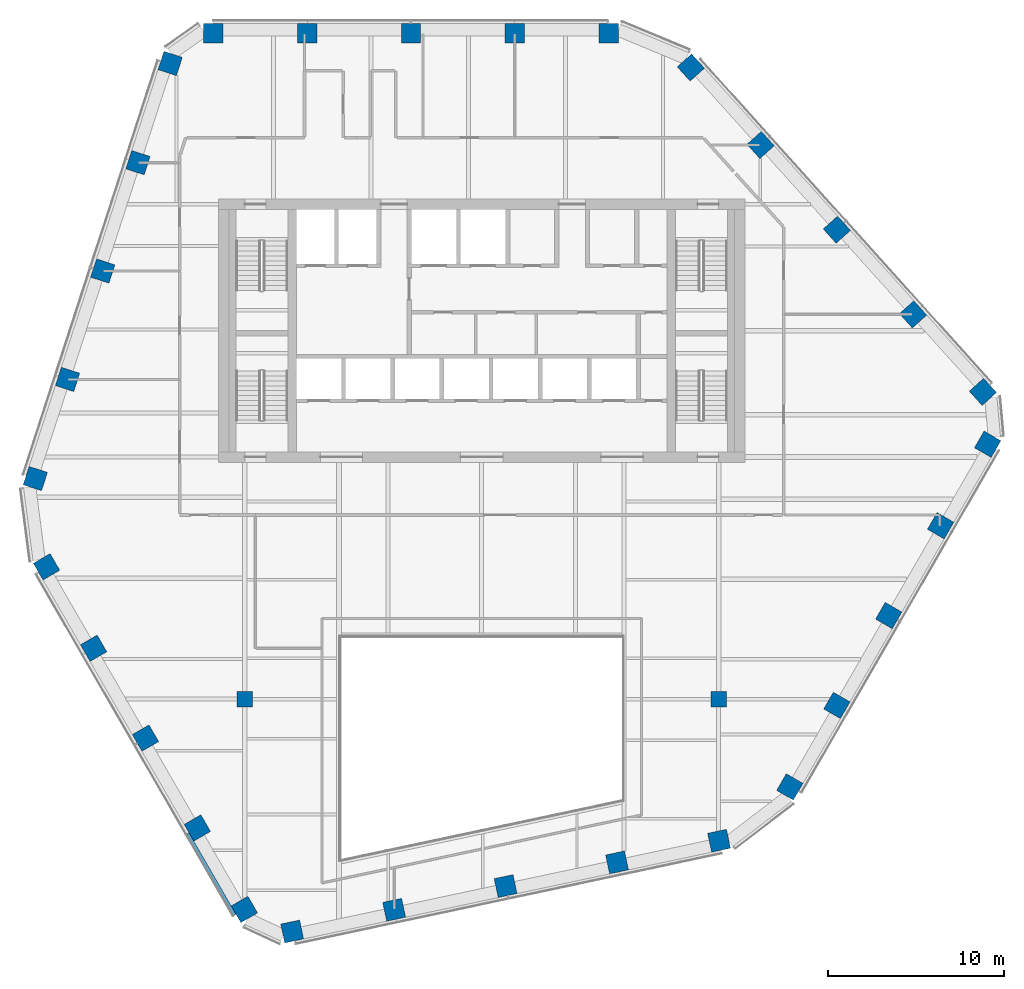
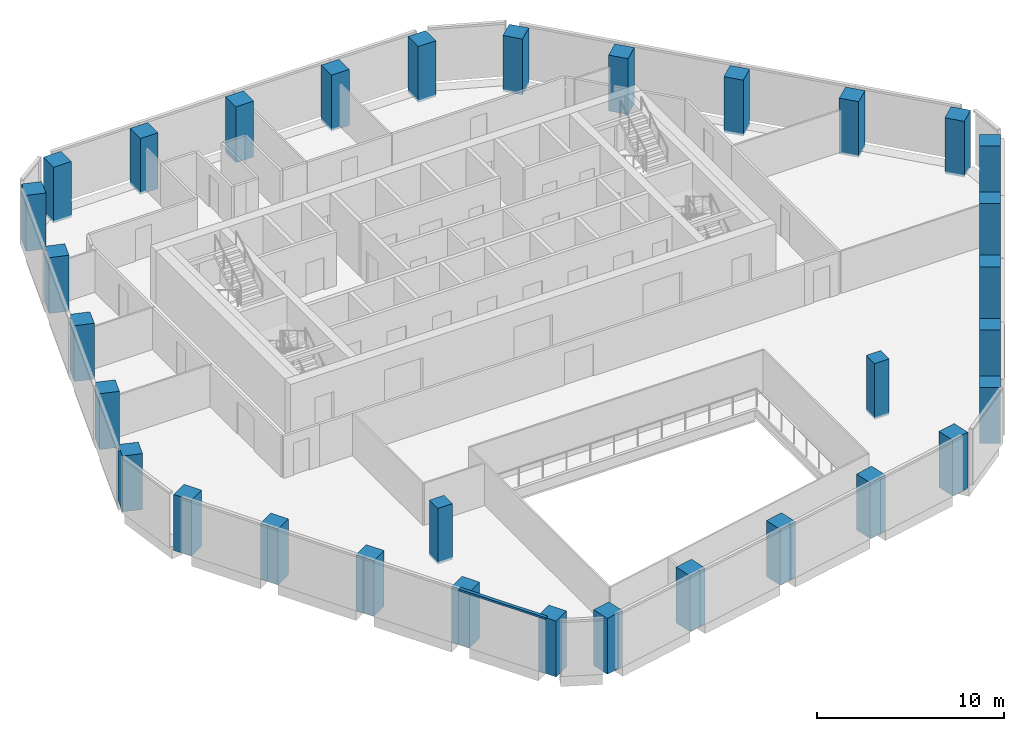
# One storey, part 1 of 15: 32 columns, 1 member, 1 element without a shape of its own.
"""IFC4 building model written with IfcOpenShell, lengths in metres."""

from ifc_helpers import new_model, si_unit, direction, frame, origin, origin_2d, place, context, subcontext, project, spatial, rectangle, extrude, material, layer, layer_set, material_profile, profile_set, type_object, element, aggregate, save


model = new_model("IFC4")

# Units and contexts
model_context = context("Model", 3, precision=1e-05, world=origin(), true_north=direction((0.0, 1.0)))
body_context = subcontext(model_context, "Body", "Model", "MODEL_VIEW")
ifc_project = project(units=[si_unit("LENGTHUNIT", "METRE"), si_unit("AREAUNIT", "SQUARE_METRE"), si_unit("VOLUMEUNIT", "CUBIC_METRE"), si_unit("PLANEANGLEUNIT", "RADIAN"), si_unit("MASSUNIT", "GRAM", prefix="KILO")], contexts=[model_context])

# Site, building, storey
site_placement = place(None, origin())
site = spatial("IfcSite", under=ifc_project, at=site_placement, CompositionType="ELEMENT")
building_placement = place(site_placement, origin())
building = spatial("IfcBuilding", under=site, at=building_placement, Name="Isthmus Gate Tower", CompositionType="ELEMENT")
storey_placement = place(building_placement, frame((0.0, 0.0, 230.89990234375)))
storey = spatial("IfcBuildingStorey", under=building, at=storey_placement, Name="L58", CompositionType="ELEMENT", Elevation=230.89990234375)

# Columns
ifc_material_1 = material(Name="Concrete f'c 50 MPa", Category="concrete")
ifc_material_profile_1 = material_profile(ifc_material_1, rectangle(XDim=0.89990234375, YDim=0.89990234375, at=origin_2d()), Name="RC 900X900")
ifc_profile_set_1 = profile_set([ifc_material_profile_1], Name="Concrete f'c 50 MPa")
column_type_1 = type_object("IfcColumnType", Name="RC INTERIOR COLUMN 900 X 900", PredefinedType="COLUMN", material=ifc_profile_set_1)
for number, where, z_axis, x_axis, name in (
    (1, (-13.5, -13.5, -0.14990234375), (0.0, 0.0, 1.0), (1.0, 0.0, 0.0), "str-icol-L58-ICB2"),
    (2, (13.5, -13.5, -0.14990234375), (0.0, 0.0, 1.0), (1.0, 0.0, 0.0), "str-icol-L58-ICD2"),
):
    element("IfcColumn", number, at=place(storey_placement, frame(where, z_axis=z_axis, x_axis=x_axis)), inside=storey, type_object=column_type_1, Name=name, PredefinedType="COLUMN", context=body_context, shape_type="SweptSolid", body=[
        extrude(rectangle(XDim=0.89990234375, YDim=0.89990234375, at=origin_2d()), origin(), (0.0, 0.0, 1.0), 3.64990234375),
    ])
ifc_material_2 = material(Name="Concrete f'c 50 MPa", Category="concrete")
ifc_material_profile_2 = material_profile(ifc_material_2, rectangle(XDim=1.10009765625, YDim=1.10009765625, at=origin_2d()), Name="RC 1100X1100")
ifc_profile_set_2 = profile_set([ifc_material_profile_2], Name="Concrete f'c 50 MPa")
column_type_2 = type_object("IfcColumnType", Name="RC TUBE COLUMN 1100 X 1100", PredefinedType="COLUMN", material=ifc_profile_set_2)
for number, where, z_axis, x_axis, name in (
    (3, (7.2412109375, 24.449951171875, -0.14990234375), (0.0, 0.0, 1.0), (-1.0, 0.0, 0.0), "str-tcol-L58-T3N0"),
    (4, (1.880615234375, 24.449951171875, -0.14990234375), (0.0, 0.0, 1.0), (-1.0, 0.0, 0.0), "str-tcol-L58-T3N1"),
    (5, (-4.030029296875, 24.449951171875, -0.14990234375), (0.0, 0.0, 1.0), (-1.0, 0.0, 0.0), "str-tcol-L58-T3N2"),
    (6, (-9.940673828125, 24.449951171875, -0.14990234375), (0.0, 0.0, 1.0), (-1.0, 0.0, 0.0), "str-tcol-L58-T3N3"),
    (7, (-15.30126953125, 24.449951171875, -0.14990234375), (0.0, 0.0, 1.0), (-1.0, 0.0, 0.0), "str-tcol-L58-T3N4"),
    (8, (-17.7509765625, 22.721923828125, -0.14990234375), (0.0, 0.0, 1.0), (-0.309016994375, -0.951056516295, 0.0), "str-tcol-L58-T3NW0"),
    (9, (-19.587158203125, 17.07080078125, -0.14990234375), (0.0, 0.0, 1.0), (-0.309016994375, -0.951056516295, 0.0), "str-tcol-L58-T3NW1"),
    (10, (-21.59326171875, 10.896728515625, -0.14990234375), (0.0, 0.0, 1.0), (-0.309016994375, -0.951056516295, 0.0), "str-tcol-L58-T3NW2"),
    (11, (-23.599365234375, 4.72265625, -0.14990234375), (0.0, 0.0, 1.0), (-0.309016994375, -0.951056516295, 0.0), "str-tcol-L58-T3NW3"),
    (12, (-25.435546875, -0.928466796875, -0.14990234375), (0.0, 0.0, 1.0), (-0.309016994375, -0.951056516295, 0.0), "str-tcol-L58-T3NW4"),
    (13, (-24.794921875, -5.9541015625, -0.14990234375), (0.0, 0.0, 1.0), (0.5, -0.866025403784, 0.0), "str-tcol-L58-T3SW0"),
    (14, (-22.114501953125, -10.596435546875, -0.14990234375), (0.0, 0.0, 1.0), (0.5, -0.866025403784, 0.0), "str-tcol-L58-T3SW1"),
    (15, (-19.1591796875, -15.715087890625, -0.14990234375), (0.0, 0.0, 1.0), (0.5, -0.866025403784, 0.0), "str-tcol-L58-T3SW2"),
    (16, (-16.2041015625, -20.833984375, -0.14990234375), (0.0, 0.0, 1.0), (0.5, -0.866025403784, 0.0), "str-tcol-L58-T3SW3"),
    (17, (-13.523681640625, -25.476318359375, -0.14990234375), (0.0, 0.0, 1.0), (0.5, -0.866025403784, 0.0), "str-tcol-L58-T3SW4"),
    (18, (-10.80224609375, -26.73388671875, -0.14990234375), (0.0, 0.0, 1.0), (0.978147600734, 0.207911690818, 0.0), "str-tcol-L58-T3S0"),
    (19, (-4.990234375, -25.498291015625, -0.14990234375), (0.0, 0.0, 1.0), (0.978147600734, 0.207911690818, 0.0), "str-tcol-L58-T3S1"),
    (20, (1.35986328125, -24.148681640625, -0.14990234375), (0.0, 0.0, 1.0), (0.978147600734, 0.207911690818, 0.0), "str-tcol-L58-T3S2"),
    (21, (7.7099609375, -22.798828125, -0.14990234375), (0.0, 0.0, 1.0), (0.978147600734, 0.207911690818, 0.0), "str-tcol-L58-T3S3"),
    (22, (13.52197265625, -21.5634765625, -0.14990234375), (0.0, 0.0, 1.0), (0.978147600734, 0.207911690818, 0.0), "str-tcol-L58-T3S4"),
    (23, (17.5537109375, -18.495849609375, -0.14990234375), (0.0, 0.0, 1.0), (0.5, 0.866025403784, 0.0), "str-tcol-L58-T3SE0"),
    (24, (20.234130859375, -13.853515625, -0.14990234375), (0.0, 0.0, 1.0), (0.5, 0.866025403784, 0.0), "str-tcol-L58-T3SE1"),
    (25, (23.189453125, -8.73486328125, -0.14990234375), (0.0, 0.0, 1.0), (0.5, 0.866025403784, 0.0), "str-tcol-L58-T3SE2"),
    (26, (26.144775390625, -3.6162109375, -0.14990234375), (0.0, 0.0, 1.0), (0.5, 0.866025403784, 0.0), "str-tcol-L58-T3SE3"),
    (27, (28.824951171875, 1.0263671875, -0.14990234375), (0.0, 0.0, 1.0), (0.5, 0.866025403784, 0.0), "str-tcol-L58-T3SE4"),
    (28, (28.55322265625, 4.011962890625, -0.14990234375), (0.0, 0.0, 1.0), (-0.669130606359, 0.743144825477, 0.0), "str-tcol-L58-T3NE0"),
    (29, (24.577392578125, 8.427490234375, -0.14990234375), (0.0, 0.0, 1.0), (-0.669130606359, 0.743144825477, 0.0), "str-tcol-L58-T3NE1"),
    (30, (20.2333984375, 13.251953125, -0.14990234375), (0.0, 0.0, 1.0), (-0.669130606359, 0.743144825477, 0.0), "str-tcol-L58-T3NE2"),
    (31, (15.8896484375, 18.076416015625, -0.14990234375), (0.0, 0.0, 1.0), (-0.669130606359, 0.743144825477, 0.0), "str-tcol-L58-T3NE3"),
    (32, (11.91357421875, 22.4921875, -0.14990234375), (0.0, 0.0, 1.0), (-0.669130606359, 0.743144825477, 0.0), "str-tcol-L58-T3NE4"),
):
    element("IfcColumn", number, at=place(storey_placement, frame(where, z_axis=z_axis, x_axis=x_axis)), inside=storey, type_object=column_type_2, Name=name, PredefinedType="COLUMN", context=body_context, shape_type="SweptSolid", body=[
        extrude(rectangle(XDim=1.10009765625, YDim=1.10009765625, at=origin_2d()), origin(), (0.0, 0.0, 1.0), 3.64990234375),
    ])

# Curtain wall, member
ifc_material_3 = material(Name="Aluminium, pale champagne anodised", Category="aluminium")
ifc_layer = layer(ifc_material_3, 0.199951171875)
ifc_layer_set = layer_set([ifc_layer], Name="CW-1 UNITISED CURTAIN WALL 200 DEEP")
curtain_wall_type = type_object("IfcCurtainWallType", Name="CW-1 UNITISED CURTAIN WALL 200 DEEP", PredefinedType="NOTDEFINED", material=ifc_layer_set)
curtain_wall_placement = place(storey_placement, origin())
curtain_wall = element("IfcCurtainWall", 33, at=curtain_wall_placement, inside=storey, type_object=curtain_wall_type, Name="CW-1 SW L58", PredefinedType="NOTDEFINED")
ifc_material_4 = material(Name="Aluminium, pale champagne anodised", Category="aluminium")
ifc_material_profile_3 = material_profile(ifc_material_4, rectangle(XDim=0.199951171875, YDim=0.1298828125, at=origin_2d()), Name="200x130")
ifc_profile_set_3 = profile_set([ifc_material_profile_3], Name="Aluminium, pale champagne anodised")
member_type = type_object("IfcMemberType", Name="CW-1 TRANSOM 200 X 130", PredefinedType="USERDEFINED", material=ifc_profile_set_3)
member_placement = place(storey_placement, frame((-16.766845703125, -21.158935546875, 3.585205078125), z_axis=(0.499989227444, -0.866031623233, 0.0), x_axis=(0.866031623233, 0.499989227444, 0.0)))
member = element("IfcMember", 34, at=member_placement, type_object=member_type, Name="CW-1 transom", ObjectType="TRANSOM", PredefinedType="USERDEFINED", context=body_context, shape_type="SweptSolid", body=[
    extrude(rectangle(XDim=0.199951171875, YDim=0.1298828125, at=origin_2d()), origin(), (0.0, 0.0, 1.0), 5.3603515625),
])
aggregate(curtain_wall, [member])

save(model, "model.ifc")
